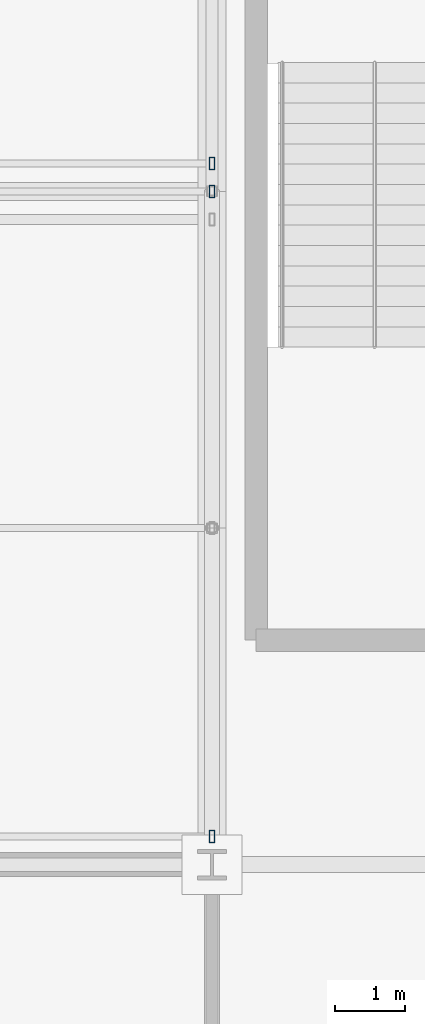
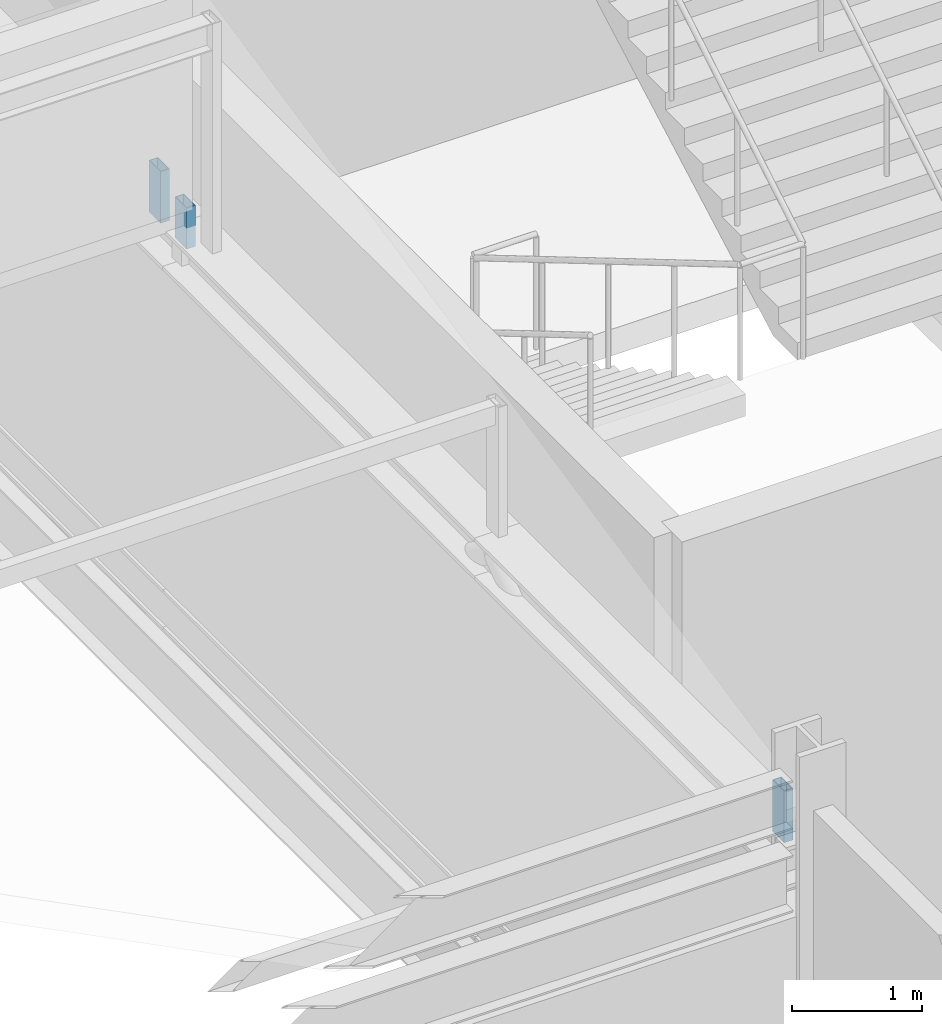
# One storey, part 88 of 136: 3 members.
"""IFC4 building model written with IfcOpenShell, lengths in metres."""

from ifc_helpers import new_model, si_unit, direction, frame, origin, origin_2d, place, context, subcontext, project, spatial, hollow_rectangle, extrude, material, material_profile, profile_set, type_object, element, save


model = new_model("IFC4")

# Units and contexts
model_context = context("Model", 3, precision=1e-05, world=origin(), true_north=direction((0.0, 1.0)))
body_context = subcontext(model_context, "Body", "Model", "MODEL_VIEW")
ifc_project = project(units=[si_unit("LENGTHUNIT", "METRE"), si_unit("AREAUNIT", "SQUARE_METRE"), si_unit("VOLUMEUNIT", "CUBIC_METRE"), si_unit("PLANEANGLEUNIT", "RADIAN"), si_unit("MASSUNIT", "GRAM", prefix="KILO")], contexts=[model_context])

# Site, building, storey
site_placement = place(None, origin())
site = spatial("IfcSite", under=ifc_project, at=site_placement, CompositionType="ELEMENT")
building_placement = place(site_placement, origin())
building = spatial("IfcBuilding", under=site, at=building_placement, Name="Kisiwana Market Hall", CompositionType="ELEMENT")
storey_placement = place(building_placement, frame((0.0, 0.0, 16.800048828125)))
storey = spatial("IfcBuildingStorey", under=building, at=storey_placement, Name="L03", CompositionType="ELEMENT", Elevation=16.800048828125)

# Members
ifc_material = material(Name="Steel S355", Category="steel")
ifc_material_profile = material_profile(ifc_material, hollow_rectangle(XDim=0.080078125, YDim=0.179931640625, WallThickness=0.00634765625, at=origin_2d()), Name="RHS 180x80x6.3")
ifc_profile_set = profile_set([ifc_material_profile], Name="Steel S355")
member_type = type_object("IfcMemberType", Name="MB-CAN-STRUT", PredefinedType="STRUT", material=ifc_profile_set)
member_1_placement = place(storey_placement, frame((153.0, 36.39990234375, 3.619873046875), z_axis=(0.0, 0.0, 1.0), x_axis=(1.0, 0.0, 0.0)))
element("IfcMember", 1, at=member_1_placement, inside=storey, type_object=member_type, Name="Sawtooth raker post 174 M-0245", PredefinedType="STRUT", context=body_context, shape_type="SweptSolid", body=[
    extrude(hollow_rectangle(XDim=0.080078125, YDim=0.179931640625, WallThickness=0.00634765625, at=origin_2d()), origin(), (0.0, 0.0, 1.0), 0.485107421875),
])
member_2_placement = place(storey_placement, frame((153.0, 45.60009765625, 3.619873046875), z_axis=(0.0, 0.0, 1.0), x_axis=(1.0, 0.0, 0.0)))
element("IfcMember", 2, at=member_2_placement, inside=storey, type_object=member_type, Name="Sawtooth raker post 176 M-0247", PredefinedType="STRUT", context=body_context, shape_type="SweptSolid", body=[
    extrude(hollow_rectangle(XDim=0.080078125, YDim=0.179931640625, WallThickness=0.00634765625, at=origin_2d()), origin(), (0.0, 0.0, 1.0), 0.385009765625),
])
member_3_placement = place(storey_placement, frame((153.0, 46.0, 3.619873046875), z_axis=(0.0, 0.0, 1.0), x_axis=(1.0, 0.0, 0.0)))
element("IfcMember", 3, at=member_3_placement, inside=storey, type_object=member_type, Name="Sawtooth raker post 219 M-0269", PredefinedType="STRUT", context=body_context, shape_type="SweptSolid", body=[
    extrude(hollow_rectangle(XDim=0.080078125, YDim=0.179931640625, WallThickness=0.00634765625, at=origin_2d()), origin(), (0.0, 0.0, 1.0), 0.485107421875),
])

save(model, "model.ifc")
